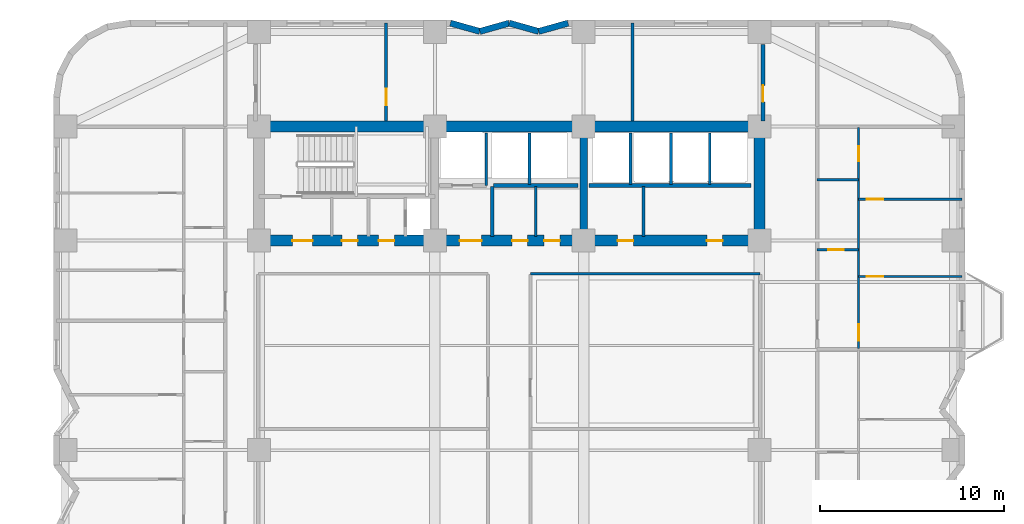
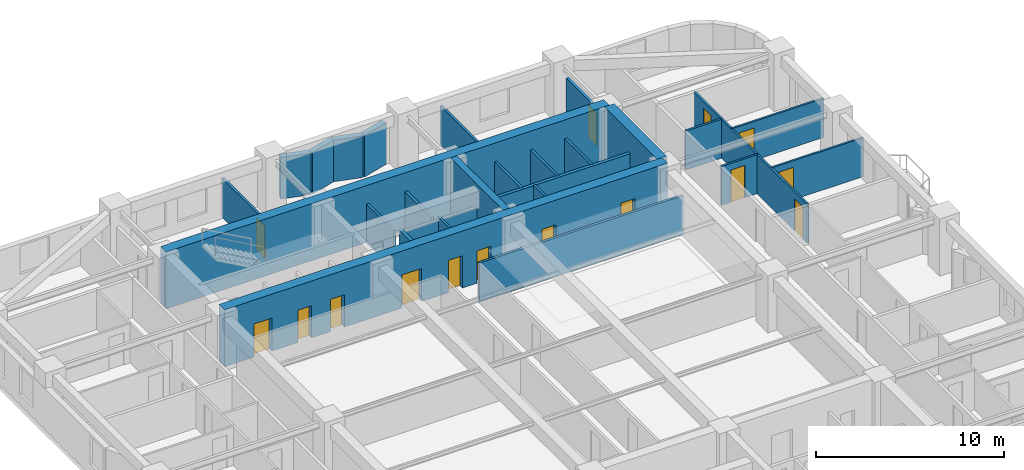
# One storey, part 7 of 10: 27 walls, 15 doors, 15 openings.
"""IFC4 building model written with IfcOpenShell, lengths in metres."""

from ifc_helpers import new_model, si_unit, direction, frame, frame_2d, origin, place, context, subcontext, project, spatial, rectangle, extrude, material, layer, layer_set, type_object, element, fill, save


model = new_model("IFC4")

# Units and contexts
model_context = context("Model", 3, precision=1e-05, world=origin(), true_north=direction((0.0, 1.0)))
body_context = subcontext(model_context, "Body", "Model", "MODEL_VIEW")
ifc_project = project(units=[si_unit("LENGTHUNIT", "METRE"), si_unit("AREAUNIT", "SQUARE_METRE"), si_unit("VOLUMEUNIT", "CUBIC_METRE"), si_unit("PLANEANGLEUNIT", "RADIAN"), si_unit("MASSUNIT", "GRAM", prefix="KILO")], contexts=[model_context])

# Site, building, storey
site_placement = place(None, origin())
site = spatial("IfcSite", under=ifc_project, at=site_placement, CompositionType="ELEMENT")
building_placement = place(site_placement, origin())
building = spatial("IfcBuilding", under=site, at=building_placement, Name="Svetorya Sky Lyceum", CompositionType="ELEMENT")
storey_placement = place(building_placement, frame((0.0, 0.0, 69.5)))
storey = spatial("IfcBuildingStorey", under=building, at=storey_placement, Name="L17", CompositionType="ELEMENT", Elevation=69.5)

# Walls
ifc_material_1 = material(Name="Concrete C40/50", Category="concrete")
ifc_layer_1 = layer(ifc_material_1, 0.39990234375)
ifc_layer_set_1 = layer_set([ifc_layer_1], Name="Concrete C40/50")
wall_type_1 = type_object("IfcWallType", Name="WL-CORE-400", PredefinedType="SHEAR", material=ifc_layer_set_1)
wall_1_placement = place(storey_placement, frame((43.25, 39.89990234375, 0.0), z_axis=(0.0, 0.0, 1.0), x_axis=(0.0, 1.0, 0.0)))
element("IfcWall", 1, at=wall_1_placement, inside=storey, type_object=wall_type_1, Name="L17 NC Internal Shear Web WEB2", PredefinedType="SHEAR", context=body_context, shape_type="SweptSolid", body=[
    extrude(rectangle(XDim=5.60009765625, YDim=0.39990234375, at=frame_2d((2.800048828125, 0.0))), origin(), (0.0, 0.0, 1.0), 3.699951171875),
])
ifc_material_2 = material(Name="Concrete C60/75", Category="concrete")
ifc_layer_2 = layer(ifc_material_2, 0.60009765625)
ifc_layer_set_2 = layer_set([ifc_layer_2], Name="Concrete C60/75")
wall_type_2 = type_object("IfcWallType", Name="WL-CORE-600", PredefinedType="SHEAR", material=ifc_layer_set_2)
wall_2_placement = place(storey_placement, frame((25.60009765625, 45.800048828125, 0.0), z_axis=(0.0, 0.0, 1.0), x_axis=(1.0, 0.0, 0.0)))
element("IfcWall", 2, at=wall_2_placement, inside=storey, type_object=wall_type_2, Name="L17 NC Outer Core Shear Wall", PredefinedType="SHEAR", context=body_context, shape_type="SweptSolid", body=[
    extrude(rectangle(XDim=27.199951171875, YDim=0.60009765625, at=frame_2d((13.60009765625, 0.0))), origin(), (0.0, 0.0, 1.0), 3.699951171875),
])
wall_3_placement = place(storey_placement, frame((52.800048828125, 39.89990234375, 0.0), z_axis=(0.0, 0.0, 1.0), x_axis=(0.0, 1.0, 0.0)))
element("IfcWall", 3, at=wall_3_placement, inside=storey, type_object=wall_type_2, Name="L17 NC East Core Shear Wall", PredefinedType="SHEAR", context=body_context, shape_type="SweptSolid", body=[
    extrude(rectangle(XDim=5.60009765625, YDim=0.60009765625, at=frame_2d((2.800048828125, 0.0))), origin(), (0.0, 0.0, 1.0), 3.699951171875),
])

# Wall, openings, doors
wall_4_placement = place(storey_placement, frame((52.800048828125, 39.60009765625, 0.0), z_axis=(0.0, 0.0, 1.0), x_axis=(-1.0, 0.0, 0.0)))
wall_4 = element("IfcWall", 4, at=wall_4_placement, inside=storey, type_object=wall_type_2, Name="L17 NC Inner Core Shear Wall", PredefinedType="SHEAR", context=body_context, shape_type="SweptSolid", body=[
    extrude(rectangle(XDim=27.199951171875, YDim=0.60009765625, at=frame_2d((13.60009765625, 0.0))), origin(), (0.0, 0.0, 1.0), 3.699951171875),
])
opening_1_placement = place(wall_4_placement, frame((24.300048828125, 0.0, 0.0)))
opening_1 = element("IfcOpeningElement", 5, at=opening_1_placement, cuts=wall_4, Name="Opening D-ST1", PredefinedType="OPENING", context=body_context, shape_type="SweptSolid", body=[
    extrude(rectangle(XDim=1.10009765625, YDim=2.14990234375, at=frame_2d((0.550048828125, 1.074951171875))), frame((0.0, 0.31005859375, 0.0), z_axis=(0.0, -1.0, 0.0), x_axis=(1.0, 0.0, 0.0)), (0.0, 0.0, 1.0), 0.6201171875),
])
opening_2_placement = place(wall_4_placement, frame((21.85009765625, 0.0, 0.0)))
opening_2 = element("IfcOpeningElement", 6, at=opening_2_placement, cuts=wall_4, Name="Opening D-CWC1", PredefinedType="OPENING", context=body_context, shape_type="SweptSolid", body=[
    extrude(rectangle(XDim=0.85009765625, YDim=2.10009765625, at=frame_2d((0.425048828125, 1.050048828125))), frame((0.0, 0.31005859375, 0.0), z_axis=(0.0, -1.0, 0.0), x_axis=(1.0, 0.0, 0.0)), (0.0, 0.0, 1.0), 0.6201171875),
])
opening_3_placement = place(wall_4_placement, frame((19.85009765625, 0.0, 0.0)))
opening_3 = element("IfcOpeningElement", 7, at=opening_3_placement, cuts=wall_4, Name="Opening D-CWC1", PredefinedType="OPENING", context=body_context, shape_type="SweptSolid", body=[
    extrude(rectangle(XDim=0.85009765625, YDim=2.10009765625, at=frame_2d((0.425048828125, 1.050048828125))), frame((0.0, 0.31005859375, 0.0), z_axis=(0.0, -1.0, 0.0), x_axis=(1.0, 0.0, 0.0)), (0.0, 0.0, 1.0), 0.6201171875),
])
opening_4_placement = place(wall_4_placement, frame((15.10009765625, 0.0, 0.0)))
opening_4 = element("IfcOpeningElement", 8, at=opening_4_placement, cuts=wall_4, Name="Opening D-FL1", PredefinedType="OPENING", context=body_context, shape_type="SweptSolid", body=[
    extrude(rectangle(XDim=1.199951171875, YDim=2.14990234375, at=frame_2d((0.60009765625, 1.074951171875))), frame((0.0, 0.31005859375, 0.0), z_axis=(0.0, -1.0, 0.0), x_axis=(1.0, 0.0, 0.0)), (0.0, 0.0, 1.0), 0.6201171875),
])
opening_5_placement = place(wall_4_placement, frame((12.60009765625, 0.0, 0.0)))
opening_5 = element("IfcOpeningElement", 9, at=opening_5_placement, cuts=wall_4, Name="Opening D-CWC1", PredefinedType="OPENING", context=body_context, shape_type="SweptSolid", body=[
    extrude(rectangle(XDim=0.85009765625, YDim=2.10009765625, at=frame_2d((0.425048828125, 1.050048828125))), frame((0.0, 0.31005859375, 0.0), z_axis=(0.0, -1.0, 0.0), x_axis=(1.0, 0.0, 0.0)), (0.0, 0.0, 1.0), 0.6201171875),
])
opening_6_placement = place(wall_4_placement, frame((10.85009765625, 0.0, 0.0)))
opening_6 = element("IfcOpeningElement", 10, at=opening_6_placement, cuts=wall_4, Name="Opening D-CWC1", PredefinedType="OPENING", context=body_context, shape_type="SweptSolid", body=[
    extrude(rectangle(XDim=0.85009765625, YDim=2.10009765625, at=frame_2d((0.425048828125, 1.050048828125))), frame((0.0, 0.31005859375, 0.0), z_axis=(0.0, -1.0, 0.0), x_axis=(1.0, 0.0, 0.0)), (0.0, 0.0, 1.0), 0.6201171875),
])
opening_7_placement = place(wall_4_placement, frame((6.85009765625, 0.0, 0.0)))
opening_7 = element("IfcOpeningElement", 11, at=opening_7_placement, cuts=wall_4, Name="Opening D-CWC1", PredefinedType="OPENING", context=body_context, shape_type="SweptSolid", body=[
    extrude(rectangle(XDim=0.85009765625, YDim=2.10009765625, at=frame_2d((0.425048828125, 1.050048828125))), frame((0.0, 0.31005859375, 0.0), z_axis=(0.0, -1.0, 0.0), x_axis=(1.0, 0.0, 0.0)), (0.0, 0.0, 1.0), 0.6201171875),
])
opening_8_placement = place(wall_4_placement, frame((2.0, 0.0, 0.0)))
opening_8 = element("IfcOpeningElement", 12, at=opening_8_placement, cuts=wall_4, Name="Opening D-CWC1", PredefinedType="OPENING", context=body_context, shape_type="SweptSolid", body=[
    extrude(rectangle(XDim=0.85009765625, YDim=2.10009765625, at=frame_2d((0.425048828125, 1.050048828125))), frame((0.0, 0.31005859375, 0.0), z_axis=(0.0, -1.0, 0.0), x_axis=(1.0, 0.0, 0.0)), (0.0, 0.0, 1.0), 0.6201171875),
])
ifc_material_3 = material(Name="Fire-rated galvanized steel core service closet door", Category="steel")
door_type_1 = type_object("IfcDoorType", Name="DR-CWET-850", OperationType="SINGLE_SWING_LEFT", PredefinedType="DOOR", material=ifc_material_3)
door_1_placement = place(opening_2_placement, origin())
door_1 = element("IfcDoor", 13, at=door_1_placement, inside=storey, type_object=door_type_1, Name="L17 North Cleaner Door", OperationType="SINGLE_SWING_RIGHT", OverallHeight=2.10009765625, OverallWidth=0.85009765625, PredefinedType="DOOR", context=body_context, shape_type="SweptSolid", body=[
    extrude(rectangle(XDim=0.85009765625, YDim=2.10009765625, at=frame_2d((0.425048828125, 1.050048828125))), frame((0.0, 0.02490234375, 0.0), z_axis=(0.0, -1.0, 0.0), x_axis=(1.0, 0.0, 0.0)), (0.0, 0.0, 1.0), 0.050048828125),
])
fill(opening_2, door_1)
door_2_placement = place(opening_3_placement, origin())
door_2 = element("IfcDoor", 14, at=door_2_placement, inside=storey, type_object=door_type_1, Name="L17 North Meter Door", OperationType="SINGLE_SWING_LEFT", OverallHeight=2.10009765625, OverallWidth=0.85009765625, PredefinedType="DOOR", context=body_context, shape_type="SweptSolid", body=[
    extrude(rectangle(XDim=0.85009765625, YDim=2.10009765625, at=frame_2d((0.425048828125, 1.050048828125))), frame((0.0, 0.02490234375, 0.0), z_axis=(0.0, -1.0, 0.0), x_axis=(1.0, 0.0, 0.0)), (0.0, 0.0, 1.0), 0.050048828125),
])
fill(opening_3, door_2)
door_3_placement = place(opening_5_placement, origin())
door_3 = element("IfcDoor", 15, at=door_3_placement, inside=storey, type_object=door_type_1, Name="L17 North BMS Door", OperationType="SINGLE_SWING_LEFT", OverallHeight=2.10009765625, OverallWidth=0.85009765625, PredefinedType="DOOR", context=body_context, shape_type="SweptSolid", body=[
    extrude(rectangle(XDim=0.85009765625, YDim=2.10009765625, at=frame_2d((0.425048828125, 1.050048828125))), frame((0.0, 0.02490234375, 0.0), z_axis=(0.0, -1.0, 0.0), x_axis=(1.0, 0.0, 0.0)), (0.0, 0.0, 1.0), 0.050048828125),
])
fill(opening_5, door_3)
door_4_placement = place(opening_6_placement, origin())
door_4 = element("IfcDoor", 16, at=door_4_placement, inside=storey, type_object=door_type_1, Name="L17 North Linen Door", OperationType="SINGLE_SWING_RIGHT", OverallHeight=2.10009765625, OverallWidth=0.85009765625, PredefinedType="DOOR", context=body_context, shape_type="SweptSolid", body=[
    extrude(rectangle(XDim=0.85009765625, YDim=2.10009765625, at=frame_2d((0.425048828125, 1.050048828125))), frame((0.0, 0.02490234375, 0.0), z_axis=(0.0, -1.0, 0.0), x_axis=(1.0, 0.0, 0.0)), (0.0, 0.0, 1.0), 0.050048828125),
])
fill(opening_6, door_4)
door_5_placement = place(opening_7_placement, origin())
door_5 = element("IfcDoor", 17, at=door_5_placement, inside=storey, type_object=door_type_1, Name="L17 North Electrical Door", OperationType="SINGLE_SWING_LEFT", OverallHeight=2.10009765625, OverallWidth=0.85009765625, PredefinedType="DOOR", context=body_context, shape_type="SweptSolid", body=[
    extrude(rectangle(XDim=0.85009765625, YDim=2.10009765625, at=frame_2d((0.425048828125, 1.050048828125))), frame((0.0, 0.02490234375, 0.0), z_axis=(0.0, -1.0, 0.0), x_axis=(1.0, 0.0, 0.0)), (0.0, 0.0, 1.0), 0.050048828125),
])
fill(opening_7, door_5)
door_6_placement = place(opening_8_placement, origin())
door_6 = element("IfcDoor", 18, at=door_6_placement, inside=storey, type_object=door_type_1, Name="L17 North Pram Door", OperationType="SINGLE_SWING_RIGHT", OverallHeight=2.10009765625, OverallWidth=0.85009765625, PredefinedType="DOOR", context=body_context, shape_type="SweptSolid", body=[
    extrude(rectangle(XDim=0.85009765625, YDim=2.10009765625, at=frame_2d((0.425048828125, 1.050048828125))), frame((0.0, 0.02490234375, 0.0), z_axis=(0.0, -1.0, 0.0), x_axis=(1.0, 0.0, 0.0)), (0.0, 0.0, 1.0), 0.050048828125),
])
fill(opening_8, door_6)
ifc_material_4 = material(Name="Powder-coated insulated galvanized stair fire door")
door_type_2 = type_object("IfcDoorType", Name="DR-FIRE-1100", OperationType="SINGLE_SWING_LEFT", PredefinedType="DOOR", material=ifc_material_4)
door_7_placement = place(opening_1_placement, origin())
door_7 = element("IfcDoor", 19, at=door_7_placement, inside=storey, type_object=door_type_2, Name="L17 North Stair Airlock Door", OperationType="SINGLE_SWING_LEFT", OverallHeight=2.14990234375, OverallWidth=1.10009765625, PredefinedType="DOOR", context=body_context, shape_type="SweptSolid", body=[
    extrude(rectangle(XDim=1.10009765625, YDim=2.14990234375, at=frame_2d((0.550048828125, 1.074951171875))), frame((0.0, 0.02490234375, 0.0), z_axis=(0.0, -1.0, 0.0), x_axis=(1.0, 0.0, 0.0)), (0.0, 0.0, 1.0), 0.050048828125),
])
fill(opening_1, door_7)
ifc_material_5 = material(Name="Powder-coated insulated galvanized fire door")
door_type_3 = type_object("IfcDoorType", Name="DR-FIRE-1200", OperationType="SINGLE_SWING_LEFT", PredefinedType="DOOR", material=ifc_material_5)
door_8_placement = place(opening_4_placement, origin())
door_8 = element("IfcDoor", 20, at=door_8_placement, inside=storey, type_object=door_type_3, Name="L17 North Firefighting Lift Lobby Door", OperationType="SINGLE_SWING_RIGHT", OverallHeight=2.14990234375, OverallWidth=1.199951171875, PredefinedType="DOOR", context=body_context, shape_type="SweptSolid", body=[
    extrude(rectangle(XDim=1.199951171875, YDim=2.14990234375, at=frame_2d((0.60009765625, 1.074951171875))), frame((0.0, 0.02490234375, 0.0), z_axis=(0.0, -1.0, 0.0), x_axis=(1.0, 0.0, 0.0)), (0.0, 0.0, 1.0), 0.050048828125),
])
fill(opening_4, door_8)

# Walls
ifc_material_6 = material(Name="Putilovo limestone rainscreen on autoclaved cellular masonry", Category="masonry")
ifc_layer_3 = layer(ifc_material_6, 0.340087890625)
ifc_layer_set_3 = layer_set([ifc_layer_3], Name="Putilovo limestone rainscreen on autoclaved cellular masonry")
wall_type_3 = type_object("IfcWallType", Name="WL-EXT-340", PredefinedType="SOLIDWALL", material=ifc_layer_set_3)
wall_5_placement = place(storey_placement, frame((42.39990234375, 51.429931640625, 0.0), z_axis=(0.0, 0.0, 1.0), x_axis=(-0.962652136636, -0.270741322725, 0.0)))
element("IfcWall", 21, at=wall_5_placement, inside=storey, type_object=wall_type_3, Name="L17 Limestone Exterior Wall 30M", PredefinedType="SOLIDWALL", context=body_context, shape_type="SweptSolid", body=[
    extrude(rectangle(XDim=1.661865234375, YDim=0.340087890625, at=frame_2d((0.8310546875, 0.0))), origin(), (0.0, 0.0, 1.0), 2.699951171875),
])
wall_6_placement = place(storey_placement, frame((40.800048828125, 50.97998046875, 0.0), z_axis=(0.0, 0.0, 1.0), x_axis=(-0.962662902433, 0.270703040766, 0.0)))
element("IfcWall", 22, at=wall_6_placement, inside=storey, type_object=wall_type_3, Name="L17 Limestone Exterior Wall 31M", PredefinedType="SOLIDWALL", context=body_context, shape_type="SweptSolid", body=[
    extrude(rectangle(XDim=1.662109375, YDim=0.340087890625, at=frame_2d((0.8310546875, 0.0))), origin(), (0.0, 0.0, 1.0), 2.699951171875),
])
wall_7_placement = place(storey_placement, frame((39.199951171875, 51.429931640625, 0.0), z_axis=(0.0, 0.0, 1.0), x_axis=(-0.962652136636, -0.270741322725, 0.0)))
element("IfcWall", 23, at=wall_7_placement, inside=storey, type_object=wall_type_3, Name="L17 Limestone Exterior Wall 32M", PredefinedType="SOLIDWALL", context=body_context, shape_type="SweptSolid", body=[
    extrude(rectangle(XDim=1.661865234375, YDim=0.340087890625, at=frame_2d((0.8310546875, 0.0))), origin(), (0.0, 0.0, 1.0), 2.699951171875),
])
wall_8_placement = place(storey_placement, frame((37.60009765625, 50.97998046875, 0.0), z_axis=(0.0, 0.0, 1.0), x_axis=(-0.962662902433, 0.270703040766, 0.0)))
element("IfcWall", 24, at=wall_8_placement, inside=storey, type_object=wall_type_3, Name="L17 Limestone Exterior Wall 33M", PredefinedType="SOLIDWALL", context=body_context, shape_type="SweptSolid", body=[
    extrude(rectangle(XDim=1.662109375, YDim=0.340087890625, at=frame_2d((0.8310546875, 0.0))), origin(), (0.0, 0.0, 1.0), 2.699951171875),
])

# Wall, opening, door
ifc_material_7 = material(Name="Twin-stud galvanized framing with double fireboard", Category="gypsum")
ifc_layer_4 = layer(ifc_material_7, 0.1201171875)
ifc_layer_set_4 = layer_set([ifc_layer_4], Name="Twin-stud galvanized framing with double fireboard")
wall_type_4 = type_object("IfcWallType", Name="WL-PART-120", PredefinedType="PARTITIONING", material=ifc_layer_set_4)
wall_9_placement = place(storey_placement, frame((55.949951171875, 39.10009765625, 0.0), z_axis=(0.0, 0.0, 1.0), x_axis=(1.0, 0.0, 0.0)))
wall_9 = element("IfcWall", 25, at=wall_9_placement, inside=storey, type_object=wall_type_4, Name="L17 Interior Partition E3-WH1", PredefinedType="PARTITIONING", context=body_context, shape_type="SweptSolid", body=[
    extrude(rectangle(XDim=2.25, YDim=0.1201171875, at=frame_2d((1.125, 0.0))), origin(), (0.0, 0.0, 1.0), 2.530029296875),
])
opening_9_placement = place(wall_9_placement, frame((0.60009765625, 0.0, 0.0)))
opening_9 = element("IfcOpeningElement", 26, at=opening_9_placement, cuts=wall_9, Name="Opening D-BT1", PredefinedType="OPENING", context=body_context, shape_type="SweptSolid", body=[
    extrude(rectangle(XDim=0.85009765625, YDim=2.10009765625, at=frame_2d((0.425048828125, 1.050048828125))), frame((0.0, 0.070068359375, 0.0), z_axis=(0.0, -1.0, 0.0), x_axis=(1.0, 0.0, 0.0)), (0.0, 0.0, 1.0), 0.14013671875),
])
ifc_material_8 = material(Name="Moisture-resistant laminate bathroom door")
door_type_4 = type_object("IfcDoorType", Name="DR-WET-850", OperationType="SINGLE_SWING_LEFT", PredefinedType="DOOR", material=ifc_material_8)
door_9_placement = place(opening_9_placement, origin())
door_9 = element("IfcDoor", 27, at=door_9_placement, inside=storey, type_object=door_type_4, Name="Apartment E3 Bathroom Door", OperationType="SINGLE_SWING_RIGHT", OverallHeight=2.10009765625, OverallWidth=0.85009765625, PredefinedType="DOOR", context=body_context, shape_type="SweptSolid", body=[
    extrude(rectangle(XDim=0.85009765625, YDim=2.10009765625, at=frame_2d((0.425048828125, 1.050048828125))), frame((0.0, 0.02490234375, 0.0), z_axis=(0.0, -1.0, 0.0), x_axis=(1.0, 0.0, 0.0)), (0.0, 0.0, 1.0), 0.050048828125),
])
fill(opening_9, door_9)

wall_10_placement = place(storey_placement, frame((58.199951171875, 37.64990234375, 0.0), z_axis=(0.0, 0.0, 1.0), x_axis=(1.0, 0.0, 0.0)))
wall_10 = element("IfcWall", 28, at=wall_10_placement, inside=storey, type_object=wall_type_4, Name="L17 Interior Partition E3-WL1", PredefinedType="PARTITIONING", context=body_context, shape_type="SweptSolid", body=[
    extrude(rectangle(XDim=5.630126953125, YDim=0.1201171875, at=frame_2d((2.81494140625, 0.0))), origin(), (0.0, 0.0, 1.0), 2.530029296875),
])
opening_10_placement = place(wall_10_placement, frame((0.449951171875, 0.0, 0.0)))
opening_10 = element("IfcOpeningElement", 29, at=opening_10_placement, cuts=wall_10, Name="Opening D-RM1", PredefinedType="OPENING", context=body_context, shape_type="SweptSolid", body=[
    extrude(rectangle(XDim=0.89990234375, YDim=2.10009765625, at=frame_2d((0.449951171875, 1.050048828125))), frame((0.0, 0.070068359375, 0.0), z_axis=(0.0, -1.0, 0.0), x_axis=(1.0, 0.0, 0.0)), (0.0, 0.0, 1.0), 0.14013671875),
])
ifc_material_9 = material(Name="Lacquered birch veneer internal door")
door_type_5 = type_object("IfcDoorType", Name="DR-INT-900", OperationType="SINGLE_SWING_LEFT", PredefinedType="DOOR", material=ifc_material_9)
door_10_placement = place(opening_10_placement, origin())
door_10 = element("IfcDoor", 30, at=door_10_placement, inside=storey, type_object=door_type_5, Name="Apartment E3 Master Bedroom Door", OperationType="SINGLE_SWING_RIGHT", OverallHeight=2.10009765625, OverallWidth=0.89990234375, PredefinedType="DOOR", context=body_context, shape_type="SweptSolid", body=[
    extrude(rectangle(XDim=0.89990234375, YDim=2.10009765625, at=frame_2d((0.449951171875, 1.050048828125))), frame((0.0, 0.02490234375, 0.0), z_axis=(0.0, -1.0, 0.0), x_axis=(1.0, 0.0, 0.0)), (0.0, 0.0, 1.0), 0.050048828125),
])
fill(opening_10, door_10)

wall_11_placement = place(storey_placement, frame((58.199951171875, 41.85009765625, 0.0), z_axis=(0.0, 0.0, 1.0), x_axis=(1.0, 0.0, 0.0)))
wall_11 = element("IfcWall", 31, at=wall_11_placement, inside=storey, type_object=wall_type_4, Name="L17 Interior Partition E3-WL2", PredefinedType="PARTITIONING", context=body_context, shape_type="SweptSolid", body=[
    extrude(rectangle(XDim=5.630126953125, YDim=0.1201171875, at=frame_2d((2.81494140625, 0.0))), origin(), (0.0, 0.0, 1.0), 2.530029296875),
])
opening_11_placement = place(wall_11_placement, frame((0.449951171875, 0.0, 0.0)))
opening_11 = element("IfcOpeningElement", 32, at=opening_11_placement, cuts=wall_11, Name="Opening D-RM1", PredefinedType="OPENING", context=body_context, shape_type="SweptSolid", body=[
    extrude(rectangle(XDim=0.89990234375, YDim=2.10009765625, at=frame_2d((0.449951171875, 1.050048828125))), frame((0.0, 0.070068359375, 0.0), z_axis=(0.0, -1.0, 0.0), x_axis=(1.0, 0.0, 0.0)), (0.0, 0.0, 1.0), 0.14013671875),
])
door_11_placement = place(opening_11_placement, origin())
door_11 = element("IfcDoor", 33, at=door_11_placement, inside=storey, type_object=door_type_5, Name="Apartment E3 Bedroom 2 Door", OperationType="SINGLE_SWING_LEFT", OverallHeight=2.10009765625, OverallWidth=0.89990234375, PredefinedType="DOOR", context=body_context, shape_type="SweptSolid", body=[
    extrude(rectangle(XDim=0.89990234375, YDim=2.10009765625, at=frame_2d((0.449951171875, 1.050048828125))), frame((0.0, 0.02490234375, 0.0), z_axis=(0.0, -1.0, 0.0), x_axis=(1.0, 0.0, 0.0)), (0.0, 0.0, 1.0), 0.050048828125),
])
fill(opening_11, door_11)

# Wall, openings, doors
wall_12_placement = place(storey_placement, frame((58.199951171875, 33.739990234375, 0.0), z_axis=(0.0, 0.0, 1.0), x_axis=(0.0, 1.0, 0.0)))
wall_12 = element("IfcWall", 34, at=wall_12_placement, inside=storey, type_object=wall_type_4, Name="L17 Interior Partition E3-WV", PredefinedType="PARTITIONING", context=body_context, shape_type="SweptSolid", body=[
    extrude(rectangle(XDim=12.02001953125, YDim=0.1201171875, at=frame_2d((6.010009765625, 0.0))), origin(), (0.0, 0.0, 1.0), 2.530029296875),
])
opening_12_placement = place(wall_12_placement, frame((0.409912109375, 0.0, 0.0)))
opening_12 = element("IfcOpeningElement", 35, at=opening_12_placement, cuts=wall_12, Name="Opening D-RM1", PredefinedType="OPENING", context=body_context, shape_type="SweptSolid", body=[
    extrude(rectangle(XDim=0.89990234375, YDim=2.10009765625, at=frame_2d((0.449951171875, 1.050048828125))), frame((0.0, 0.070068359375, 0.0), z_axis=(0.0, -1.0, 0.0), x_axis=(1.0, 0.0, 0.0)), (0.0, 0.0, 1.0), 0.14013671875),
])
opening_13_placement = place(wall_12_placement, frame((10.18505859375, 0.0, 0.0)))
opening_13 = element("IfcOpeningElement", 36, at=opening_13_placement, cuts=wall_12, Name="Opening D-BT2", PredefinedType="OPENING", context=body_context, shape_type="SweptSolid", body=[
    extrude(rectangle(XDim=0.820068359375, YDim=2.080078125, at=frame_2d((0.41015625, 1.0400390625))), frame((0.0, 0.070068359375, 0.0), z_axis=(0.0, -1.0, 0.0), x_axis=(1.0, 0.0, 0.0)), (0.0, 0.0, 1.0), 0.14013671875),
])
door_12_placement = place(opening_12_placement, origin())
door_12 = element("IfcDoor", 37, at=door_12_placement, inside=storey, type_object=door_type_5, Name="Apartment E3 Living Door", OperationType="SINGLE_SWING_LEFT", OverallHeight=2.10009765625, OverallWidth=0.89990234375, PredefinedType="DOOR", context=body_context, shape_type="SweptSolid", body=[
    extrude(rectangle(XDim=0.89990234375, YDim=2.10009765625, at=frame_2d((0.449951171875, 1.050048828125))), frame((0.0, 0.02490234375, 0.0), z_axis=(0.0, -1.0, 0.0), x_axis=(1.0, 0.0, 0.0)), (0.0, 0.0, 1.0), 0.050048828125),
])
fill(opening_12, door_12)
ifc_material_10 = material(Name="Compact moisture-resistant laminate closet door")
door_type_6 = type_object("IfcDoorType", Name="DR-WET-820", OperationType="SINGLE_SWING_LEFT", PredefinedType="DOOR", material=ifc_material_10)
door_13_placement = place(opening_13_placement, origin())
door_13 = element("IfcDoor", 38, at=door_13_placement, inside=storey, type_object=door_type_6, Name="Apartment E3 Study Door", OperationType="SINGLE_SWING_RIGHT", OverallHeight=2.080078125, OverallWidth=0.820068359375, PredefinedType="DOOR", context=body_context, shape_type="SweptSolid", body=[
    extrude(rectangle(XDim=0.820068359375, YDim=2.080078125, at=frame_2d((0.41015625, 1.0400390625))), frame((0.0, 0.02490234375, 0.0), z_axis=(0.0, -1.0, 0.0), x_axis=(1.0, 0.0, 0.0)), (0.0, 0.0, 1.0), 0.050048828125),
])
fill(opening_13, door_13)

# Walls
ifc_material_11 = material(Name="Twin-stud galvanized framing with acoustic board", Category="gypsum")
ifc_layer_5 = layer(ifc_material_11, 0.135009765625)
ifc_layer_set_5 = layer_set([ifc_layer_5], Name="Twin-stud galvanized framing with acoustic board")
wall_type_5 = type_object("IfcWallType", Name="WL-PART-135", PredefinedType="PARTITIONING", material=ifc_layer_set_5)
wall_13_placement = place(storey_placement, frame((40.64990234375, 39.820068359375, 0.0), z_axis=(0.0, 0.0, 1.0), x_axis=(0.0, 1.0, 0.0)))
element("IfcWall", 39, at=wall_13_placement, inside=storey, type_object=wall_type_5, Name="L17 Interior Partition NC-Z1D", PredefinedType="PARTITIONING", context=body_context, shape_type="SweptSolid", body=[
    extrude(rectangle(XDim=2.72998046875, YDim=0.135009765625, at=frame_2d((1.364990234375, 0.0))), origin(), (0.0, 0.0, 1.0), 2.530029296875),
])
wall_14_placement = place(storey_placement, frame((55.949951171875, 42.89990234375, 0.0), z_axis=(0.0, 0.0, 1.0), x_axis=(1.0, 0.0, 0.0)))
element("IfcWall", 40, at=wall_14_placement, inside=storey, type_object=wall_type_5, Name="L17 Interior Partition E3-WH2", PredefinedType="PARTITIONING", context=body_context, shape_type="SweptSolid", body=[
    extrude(rectangle(XDim=2.25, YDim=0.135009765625, at=frame_2d((1.125, 0.0))), origin(), (0.0, 0.0, 1.0), 2.530029296875),
])
ifc_material_12 = material(Name="Autoclaved cellular masonry blockwork with acoustic render", Category="masonry")
ifc_layer_6 = layer(ifc_material_12, 0.14990234375)
ifc_layer_set_6 = layer_set([ifc_layer_6], Name="Autoclaved cellular masonry blockwork with acoustic render")
wall_type_6 = type_object("IfcWallType", Name="WL-PART-150", PredefinedType="PARTITIONING", material=ifc_layer_set_6)
wall_15_placement = place(storey_placement, frame((37.949951171875, 42.60009765625, 0.0), z_axis=(0.0, 0.0, 1.0), x_axis=(0.0, 1.0, 0.0)))
element("IfcWall", 41, at=wall_15_placement, inside=storey, type_object=wall_type_6, Name="L17 Interior Partition NC-FL1SIDE", PredefinedType="PARTITIONING", context=body_context, shape_type="SweptSolid", body=[
    extrude(rectangle(XDim=2.849853515625, YDim=0.14990234375, at=frame_2d((1.4248046875, 0.0))), origin(), (0.0, 0.0, 1.0), 2.530029296875),
])
for number, where, z_axis, x_axis, name in (
    (42, (40.300048828125, 42.64990234375, 0.0), (0.0, 0.0, 1.0), (0.0, 1.0, 0.0), "L17 Interior Partition NC-PM-D1"),
    (43, (45.800048828125, 42.64990234375, 0.0), (0.0, 0.0, 1.0), (0.0, 1.0, 0.0), "L17 Interior Partition NC-PM3-D"),
    (44, (48.0, 42.64990234375, 0.0), (0.0, 0.0, 1.0), (0.0, 1.0, 0.0), "L17 Interior Partition NC-PH-D1"),
    (45, (50.10009765625, 42.64990234375, 0.0), (0.0, 0.0, 1.0), (0.0, 1.0, 0.0), "L17 Interior Partition NC-PH-D2"),
):
    element("IfcWall", number, at=place(storey_placement, frame(where, z_axis=z_axis, x_axis=x_axis)), inside=storey, type_object=wall_type_6, Name=name, PredefinedType="PARTITIONING", context=body_context, shape_type="SweptSolid", body=[
        extrude(rectangle(XDim=2.800048828125, YDim=0.14990234375, at=frame_2d((1.39990234375, 0.0))), origin(), (0.0, 0.0, 1.0), 2.530029296875),
    ])
wall_16_placement = place(storey_placement, frame((46.5, 39.820068359375, 0.0), z_axis=(0.0, 0.0, 1.0), x_axis=(0.0, 1.0, 0.0)))
element("IfcWall", 46, at=wall_16_placement, inside=storey, type_object=wall_type_6, Name="L17 Interior Partition NC-ED1", PredefinedType="PARTITIONING", context=body_context, shape_type="SweptSolid", body=[
    extrude(rectangle(XDim=2.72998046875, YDim=0.14990234375, at=frame_2d((1.364990234375, 0.0))), origin(), (0.0, 0.0, 1.0), 2.530029296875),
])
wall_17_placement = place(storey_placement, frame((40.35009765625, 37.800048828125, 0.0), z_axis=(0.0, 0.0, 1.0), x_axis=(1.0, 0.0, 0.0)))
element("IfcWall", 47, at=wall_17_placement, inside=storey, type_object=wall_type_6, Name="L17 Interior Partition CN-MID-E", PredefinedType="PARTITIONING", context=body_context, shape_type="SweptSolid", body=[
    extrude(rectangle(XDim=12.5, YDim=0.14990234375, at=frame_2d((6.25, 0.0))), origin(), (0.0, 0.0, 1.0), 2.530029296875),
])

# Wall, opening, door
wall_18_placement = place(storey_placement, frame((32.5, 46.10009765625, 0.0), z_axis=(0.0, 0.0, 1.0), x_axis=(0.0, 1.0, 0.0)))
wall_18 = element("IfcWall", 48, at=wall_18_placement, inside=storey, type_object=wall_type_6, Name="L17 Interior Partition N-D1", PredefinedType="PARTITIONING", context=body_context, shape_type="SweptSolid", body=[
    extrude(rectangle(XDim=5.329833984375, YDim=0.14990234375, at=frame_2d((2.6650390625, 0.0))), origin(), (0.0, 0.0, 1.0), 2.530029296875),
])
opening_14_placement = place(wall_18_placement, frame((0.85009765625, 0.0, 0.0)))
opening_14 = element("IfcOpeningElement", 49, at=opening_14_placement, cuts=wall_18, Name="Opening D-RM1", PredefinedType="OPENING", context=body_context, shape_type="SweptSolid", body=[
    extrude(rectangle(XDim=0.89990234375, YDim=2.10009765625, at=frame_2d((0.449951171875, 1.050048828125))), frame((0.0, 0.0849609375, 0.0), z_axis=(0.0, -1.0, 0.0), x_axis=(1.0, 0.0, 0.0)), (0.0, 0.0, 1.0), 0.169921875),
])
door_14_placement = place(opening_14_placement, origin())
door_14 = element("IfcDoor", 50, at=door_14_placement, inside=storey, type_object=door_type_5, Name="L17 North Store Door", OperationType="SINGLE_SWING_RIGHT", OverallHeight=2.10009765625, OverallWidth=0.89990234375, PredefinedType="DOOR", context=body_context, shape_type="SweptSolid", body=[
    extrude(rectangle(XDim=0.89990234375, YDim=2.10009765625, at=frame_2d((0.449951171875, 1.050048828125))), frame((0.0, 0.02490234375, 0.0), z_axis=(0.0, -1.0, 0.0), x_axis=(1.0, 0.0, 0.0)), (0.0, 0.0, 1.0), 0.050048828125),
])
fill(opening_14, door_14)

# Walls
wall_19_placement = place(storey_placement, frame((45.89990234375, 46.10009765625, 0.0), z_axis=(0.0, 0.0, 1.0), x_axis=(0.0, 1.0, 0.0)))
element("IfcWall", 51, at=wall_19_placement, inside=storey, type_object=wall_type_6, Name="L17 Interior Partition N-D2", PredefinedType="PARTITIONING", context=body_context, shape_type="SweptSolid", body=[
    extrude(rectangle(XDim=5.329833984375, YDim=0.14990234375, at=frame_2d((2.6650390625, 0.0))), origin(), (0.0, 0.0, 1.0), 2.530029296875),
])
ifc_material_13 = material(Name="Autoclaved cellular masonry blockwork with gypsum plaster", Category="masonry")
ifc_layer_7 = layer(ifc_material_13, 0.199951171875)
ifc_layer_set_7 = layer_set([ifc_layer_7], Name="Autoclaved cellular masonry blockwork with gypsum plaster")
wall_type_7 = type_object("IfcWallType", Name="WL-PART-200", PredefinedType="PARTITIONING", material=ifc_layer_set_7)
wall_20_placement = place(storey_placement, frame((38.280029296875, 39.820068359375, 0.0), z_axis=(0.0, 0.0, 1.0), x_axis=(0.0, 1.0, 0.0)))
element("IfcWall", 52, at=wall_20_placement, inside=storey, type_object=wall_type_7, Name="L17 Interior Partition NC-FFLDIV", PredefinedType="PARTITIONING", context=body_context, shape_type="SweptSolid", body=[
    extrude(rectangle(XDim=2.72998046875, YDim=0.199951171875, at=frame_2d((1.364990234375, 0.0))), origin(), (0.0, 0.0, 1.0), 2.530029296875),
])
wall_21_placement = place(storey_placement, frame((42.949951171875, 42.60009765625, 0.0), z_axis=(0.0, 0.0, 1.0), x_axis=(-1.0, 0.0, 0.0)))
element("IfcWall", 53, at=wall_21_placement, inside=storey, type_object=wall_type_7, Name="L17 Interior Partition NC-PM12W", PredefinedType="PARTITIONING", context=body_context, shape_type="SweptSolid", body=[
    extrude(rectangle(XDim=4.599853515625, YDim=0.199951171875, at=frame_2d((2.2998046875, 0.0))), origin(), (0.0, 0.0, 1.0), 2.300048828125),
])
wall_22_placement = place(storey_placement, frame((52.35009765625, 42.60009765625, 0.0), z_axis=(0.0, 0.0, 1.0), x_axis=(-1.0, 0.0, 0.0)))
element("IfcWall", 54, at=wall_22_placement, inside=storey, type_object=wall_type_7, Name="L17 Interior Partition NC-PHEW", PredefinedType="PARTITIONING", context=body_context, shape_type="SweptSolid", body=[
    extrude(rectangle(XDim=8.800048828125, YDim=0.199951171875, at=frame_2d((4.39990234375, 0.0))), origin(), (0.0, 0.0, 1.0), 2.530029296875),
])

# Wall, opening, door
wall_23_placement = place(storey_placement, frame((53.0, 46.10009765625, 0.0), z_axis=(0.0, 0.0, 1.0), x_axis=(0.0, 1.0, 0.0)))
wall_23 = element("IfcWall", 55, at=wall_23_placement, inside=storey, type_object=wall_type_7, Name="L17 Interior Partition N-EE", PredefinedType="PARTITIONING", context=body_context, shape_type="SweptSolid", body=[
    extrude(rectangle(XDim=4.179931640625, YDim=0.199951171875, at=frame_2d((2.08984375, 0.0))), origin(), (0.0, 0.0, 1.0), 2.530029296875),
])
opening_15_placement = place(wall_23_placement, frame((1.050048828125, 0.0, 0.0)))
opening_15 = element("IfcOpeningElement", 56, at=opening_15_placement, cuts=wall_23, Name="Opening D-RM1", PredefinedType="OPENING", context=body_context, shape_type="SweptSolid", body=[
    extrude(rectangle(XDim=0.89990234375, YDim=2.10009765625, at=frame_2d((0.449951171875, 1.050048828125))), frame((0.0, 0.10986328125, 0.0), z_axis=(0.0, -1.0, 0.0), x_axis=(1.0, 0.0, 0.0)), (0.0, 0.0, 1.0), 0.219970703125),
])
door_15_placement = place(opening_15_placement, origin())
door_15 = element("IfcDoor", 57, at=door_15_placement, inside=storey, type_object=door_type_5, Name="L17 North Meeting Door", OperationType="SINGLE_SWING_LEFT", OverallHeight=2.10009765625, OverallWidth=0.89990234375, PredefinedType="DOOR", context=body_context, shape_type="SweptSolid", body=[
    extrude(rectangle(XDim=0.89990234375, YDim=2.10009765625, at=frame_2d((0.449951171875, 1.050048828125))), frame((0.0, 0.02490234375, 0.0), z_axis=(0.0, -1.0, 0.0), x_axis=(1.0, 0.0, 0.0)), (0.0, 0.0, 1.0), 0.050048828125),
])
fill(opening_15, door_15)

save(model, "model.ifc")
